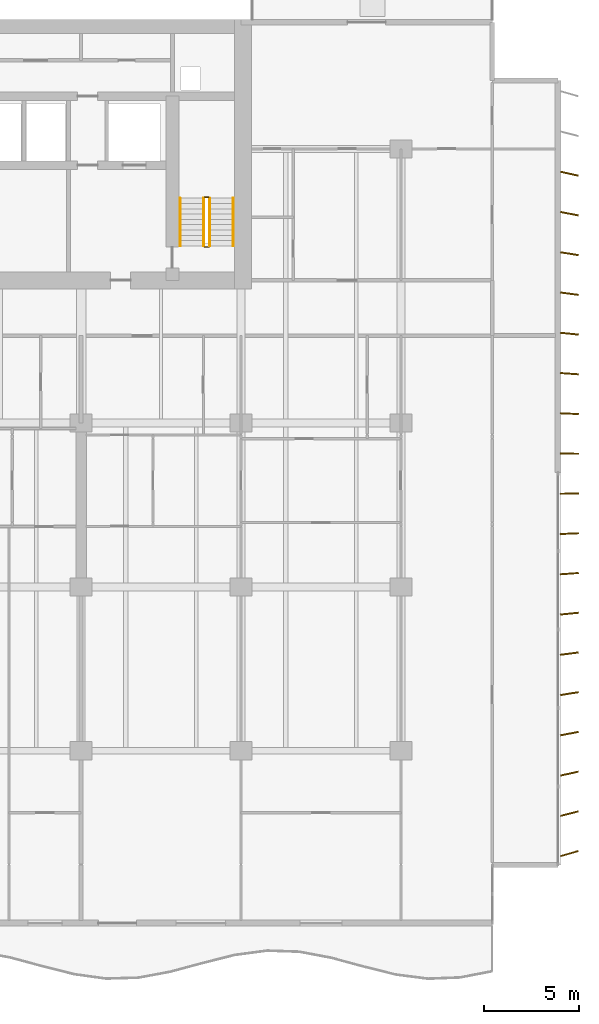
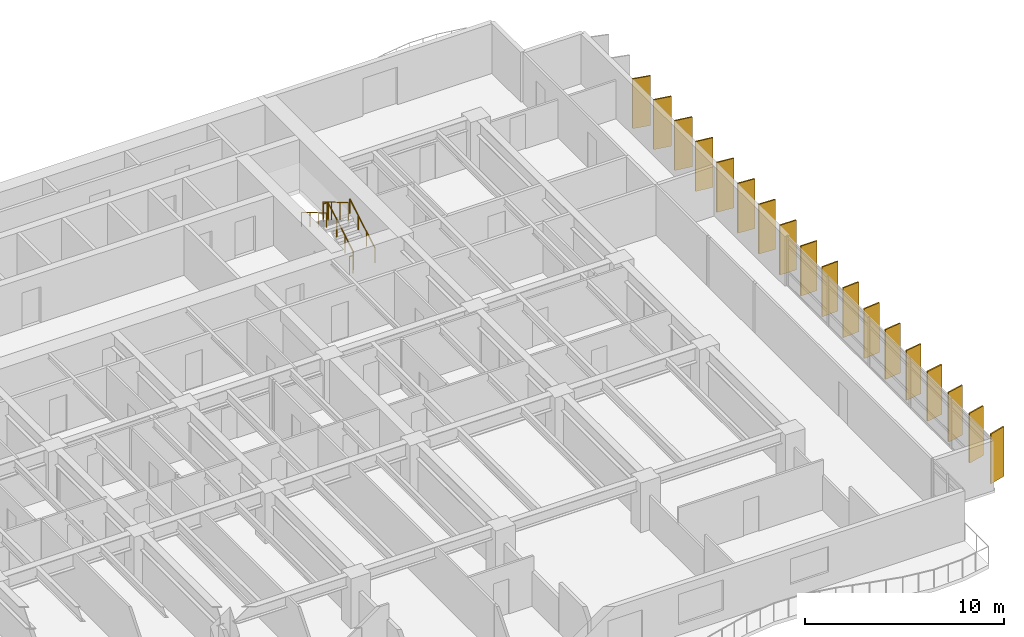
# One storey, part 17 of 18: 18 shading devices, 6 railings.
"""IFC4 building model written with IfcOpenShell, lengths in metres."""

from ifc_helpers import new_model, si_unit, direction, frame, origin, origin_2d, place, context, subcontext, project, spatial, rectangle, circle, extrude, material, material_profile, profile_set, type_object, element, save


model = new_model("IFC4")

# Units and contexts
model_context = context("Model", 3, precision=1e-05, world=origin(), true_north=direction((0.0, 1.0)))
body_context = subcontext(model_context, "Body", "Model", "MODEL_VIEW")
ifc_project = project(units=[si_unit("LENGTHUNIT", "METRE"), si_unit("AREAUNIT", "SQUARE_METRE"), si_unit("VOLUMEUNIT", "CUBIC_METRE"), si_unit("PLANEANGLEUNIT", "RADIAN"), si_unit("MASSUNIT", "GRAM", prefix="KILO")], contexts=[model_context])

# Site, building, storey
site_placement = place(None, origin())
site = spatial("IfcSite", under=ifc_project, at=site_placement, CompositionType="ELEMENT")
building_placement = place(site_placement, origin())
building = spatial("IfcBuilding", under=site, at=building_placement, Name="Caelmar Bay Residences", CompositionType="ELEMENT")
storey_placement = place(building_placement, frame((0.0, 0.0, 43.199951171875)))
storey = spatial("IfcBuildingStorey", under=building, at=storey_placement, Name="L10", CompositionType="ELEMENT", Elevation=43.199951171875)

# Railings
ifc_material_1 = material(Name="Painted galvanized steel stair guard 1100 mm", Category="steel")
railing_type_1 = type_object("IfcRailingType", Name="RL-GRD-1100", PredefinedType="GUARDRAIL", material=ifc_material_1)
railing_1_placement = place(storey_placement, frame((57.85009765625, 38.699951171875, 0.1650390625)))
element("IfcRailing", 1, at=railing_1_placement, inside=storey, type_object=railing_type_1, Name="L10 ST2 stair guard 1", PredefinedType="GUARDRAIL", context=body_context, shape_type="SweptSolid", body=[
    extrude(circle(Radius=0.02392578125, at=origin_2d()), frame((0.0, 0.0, 1.076171875), z_axis=(0.0, 0.86152411907, 0.507716645641), x_axis=(-1.0, 0.0, 0.0)), (0.0, 0.0, 1.0), 2.925048828125),
    extrude(circle(Radius=0.02099609375, at=origin_2d()), origin(), (0.0, 0.0, 1.0), 1.052001953125),
    extrude(circle(Radius=0.02099609375, at=origin_2d()), frame((0.0, 0.840087890625, 0.4951171875)), (0.0, 0.0, 1.0), 1.052001953125),
    extrude(circle(Radius=0.02099609375, at=origin_2d()), frame((0.0, 1.679931640625, 0.989990234375)), (0.0, 0.0, 1.0), 1.052001953125),
    extrude(circle(Radius=0.02099609375, at=origin_2d()), frame((0.0, 2.52001953125, 1.485107421875)), (0.0, 0.0, 1.0), 1.052001953125),
])
railing_2_placement = place(storey_placement, frame((57.800048828125, 41.27001953125, 1.650146484375)))
element("IfcRailing", 2, at=railing_2_placement, inside=storey, type_object=railing_type_1, Name="L10 ST2 stair guard 2", PredefinedType="GUARDRAIL", context=body_context, shape_type="SweptSolid", body=[
    extrude(circle(Radius=0.02392578125, at=origin_2d()), frame((0.0, 0.0, 1.076171875), z_axis=(-1.0, 0.0, 0.0), x_axis=(0.0, -1.0, 0.0)), (0.0, 0.0, 1.0), 0.199951171875),
    extrude(circle(Radius=0.02099609375, at=origin_2d()), origin(), (0.0, 0.0, 1.0), 1.052001953125),
    extrude(circle(Radius=0.02099609375, at=origin_2d()), frame((-0.199951171875, 0.0, 0.0)), (0.0, 0.0, 1.0), 1.052001953125),
])
railing_3_placement = place(storey_placement, frame((57.550048828125, 41.219970703125, 1.81494140625)))
element("IfcRailing", 3, at=railing_3_placement, inside=storey, type_object=railing_type_1, Name="L10 ST2 stair guard 3", PredefinedType="GUARDRAIL", context=body_context, shape_type="SweptSolid", body=[
    extrude(circle(Radius=0.02392578125, at=origin_2d()), frame((0.0, 0.0, 1.076171875), z_axis=(0.0, -0.86152411907, 0.507716645641), x_axis=(1.0, 0.0, 0.0)), (0.0, 0.0, 1.0), 2.925048828125),
    extrude(circle(Radius=0.02099609375, at=origin_2d()), origin(), (0.0, 0.0, 1.0), 1.052001953125),
    extrude(circle(Radius=0.02099609375, at=origin_2d()), frame((0.0, -0.840087890625, 0.4951171875)), (0.0, 0.0, 1.0), 1.052001953125),
    extrude(circle(Radius=0.02099609375, at=origin_2d()), frame((0.0, -1.679931640625, 0.989990234375)), (0.0, 0.0, 1.0), 1.052001953125),
    extrude(circle(Radius=0.02099609375, at=origin_2d()), frame((0.0, -2.52001953125, 1.485107421875)), (0.0, 0.0, 1.0), 1.052001953125),
])
railing_4_placement = place(storey_placement, frame((57.800048828125, 38.64990234375, 0.0)))
element("IfcRailing", 4, at=railing_4_placement, inside=storey, type_object=railing_type_1, Name="L10 ST2 stair guard 4", PredefinedType="GUARDRAIL", context=body_context, shape_type="SweptSolid", body=[
    extrude(circle(Radius=0.02392578125, at=origin_2d()), frame((0.0, 0.0, 1.076171875), z_axis=(-1.0, 0.0, 0.0), x_axis=(0.0, -1.0, 0.0)), (0.0, 0.0, 1.0), 0.199951171875),
    extrude(circle(Radius=0.02099609375, at=origin_2d()), origin(), (0.0, 0.0, 1.0), 1.052001953125),
    extrude(circle(Radius=0.02099609375, at=origin_2d()), frame((-0.199951171875, 0.0, 0.0)), (0.0, 0.0, 1.0), 1.052001953125),
])
ifc_material_2 = material(Name="Brushed bronze stainless-steel tubular handrail 900 mm", Category="steel")
railing_type_2 = type_object("IfcRailingType", Name="RL-HND-900", PredefinedType="HANDRAIL", material=ifc_material_2)
railing_5_placement = place(storey_placement, frame((59.10009765625, 38.699951171875, 0.1650390625)))
element("IfcRailing", 5, at=railing_5_placement, inside=storey, type_object=railing_type_2, Name="L10 ST2 stair handrail 1", PredefinedType="HANDRAIL", context=body_context, shape_type="SweptSolid", body=[
    extrude(circle(Radius=0.02392578125, at=origin_2d()), frame((0.0, 0.0, 0.8759765625), z_axis=(0.0, 0.86152411907, 0.507716645641), x_axis=(-1.0, 0.0, 0.0)), (0.0, 0.0, 1.0), 2.925048828125),
    extrude(circle(Radius=0.02099609375, at=origin_2d()), origin(), (0.0, 0.0, 1.0), 0.851806640625),
    extrude(circle(Radius=0.02099609375, at=origin_2d()), frame((0.0, 0.840087890625, 0.4951171875)), (0.0, 0.0, 1.0), 0.851806640625),
    extrude(circle(Radius=0.02099609375, at=origin_2d()), frame((0.0, 1.679931640625, 0.989990234375)), (0.0, 0.0, 1.0), 0.851806640625),
    extrude(circle(Radius=0.02099609375, at=origin_2d()), frame((0.0, 2.52001953125, 1.485107421875)), (0.0, 0.0, 1.0), 0.851806640625),
])
railing_6_placement = place(storey_placement, frame((56.300048828125, 41.219970703125, 1.81494140625)))
element("IfcRailing", 6, at=railing_6_placement, inside=storey, type_object=railing_type_2, Name="L10 ST2 stair handrail 2", PredefinedType="HANDRAIL", context=body_context, shape_type="SweptSolid", body=[
    extrude(circle(Radius=0.02392578125, at=origin_2d()), frame((0.0, 0.0, 0.8759765625), z_axis=(0.0, -0.86152411907, 0.507716645641), x_axis=(1.0, 0.0, 0.0)), (0.0, 0.0, 1.0), 2.925048828125),
    extrude(circle(Radius=0.02099609375, at=origin_2d()), origin(), (0.0, 0.0, 1.0), 0.851806640625),
    extrude(circle(Radius=0.02099609375, at=origin_2d()), frame((0.0, -0.840087890625, 0.4951171875)), (0.0, 0.0, 1.0), 0.851806640625),
    extrude(circle(Radius=0.02099609375, at=origin_2d()), frame((0.0, -1.679931640625, 0.989990234375)), (0.0, 0.0, 1.0), 0.851806640625),
    extrude(circle(Radius=0.02099609375, at=origin_2d()), frame((0.0, -2.52001953125, 1.485107421875)), (0.0, 0.0, 1.0), 0.851806640625),
])

# Shading devices
ifc_material_3 = material(Name="Anodised architectural bronze aluminium 6063-T6", Category="aluminium")
ifc_material_profile = material_profile(ifc_material_3, rectangle(XDim=0.074951171875, YDim=0.949951171875, at=origin_2d()), Name="BRONZE-FIN-75X950")
ifc_profile_set = profile_set([ifc_material_profile], Name="Anodised architectural bronze aluminium 6063-T6")
shading_device_type = type_object("IfcShadingDeviceType", Name="SHD-FIN-950", PredefinedType="USERDEFINED", material=ifc_profile_set)
for number, where, z_axis, x_axis, name in (
    (7, (76.75, 6.800048828125, 0.0), (0.0, 0.0, 1.0), (-0.275637355817, 0.961261695938, 0.0), "L10 East Bronze Solar Fin 1"),
    (8, (76.75, 8.89990234375, 0.0), (0.0, 0.0, 1.0), (-0.247337247968, 0.968929453452, 0.0), "L10 East Bronze Solar Fin 2"),
    (9, (76.75, 11.0, 0.0), (0.0, 0.0, 1.0), (-0.218654200292, 0.975802408633, 0.0), "L10 East Bronze Solar Fin 3"),
    (10, (76.75, 13.10009765625, 0.0), (0.0, 0.0, 1.0), (-0.189952291512, 0.981793321911, 0.0), "L10 East Bronze Solar Fin 4"),
    (11, (76.75, 15.199951171875, 0.0), (0.0, 0.0, 1.0), (-0.160914826518, 0.986968296657, 0.0), "L10 East Bronze Solar Fin 5"),
    (12, (76.75, 17.300048828125, 0.0), (0.0, 0.0, 1.0), (-0.131910382711, 0.991261646052, 0.0), "L10 East Bronze Solar Fin 6"),
    (13, (76.75, 19.39990234375, 0.0), (0.0, 0.0, 1.0), (-0.10261892683, 0.994720742649, 0.0), "L10 East Bronze Solar Fin 7"),
    (14, (76.75, 21.5, 0.0), (0.0, 0.0, 1.0), (-0.073412260224, 0.997301679558, 0.0), "L10 East Bronze Solar Fin 8"),
    (15, (76.75, 23.60009765625, 0.0), (0.0, 0.0, 1.0), (-0.044142481788, 0.999025245578, 0.0), "L10 East Bronze Solar Fin 9"),
    (16, (76.75, 25.699951171875, 0.0), (0.0, 0.0, 1.0), (-0.01466024053, 0.999892532899, 0.0), "L10 East Bronze Solar Fin 10"),
    (17, (76.75, 27.800048828125, 0.0), (0.0, 0.0, 1.0), (0.01466024053, 0.999892532899, 0.0), "L10 East Bronze Solar Fin 11"),
    (18, (76.75, 29.89990234375, 0.0), (0.0, 0.0, 1.0), (0.044142481788, 0.999025245578, 0.0), "L10 East Bronze Solar Fin 12"),
    (19, (76.75, 32.0, 0.0), (0.0, 0.0, 1.0), (0.073412260224, 0.997301679558, 0.0), "L10 East Bronze Solar Fin 13"),
    (20, (76.75, 34.10009765625, 0.0), (0.0, 0.0, 1.0), (0.10261892683, 0.994720742649, 0.0), "L10 East Bronze Solar Fin 14"),
    (21, (76.75, 36.199951171875, 0.0), (0.0, 0.0, 1.0), (0.131910382711, 0.991261646052, 0.0), "L10 East Bronze Solar Fin 15"),
    (22, (76.75, 38.300048828125, 0.0), (0.0, 0.0, 1.0), (0.160914826518, 0.986968296657, 0.0), "L10 East Bronze Solar Fin 16"),
    (23, (76.75, 40.39990234375, 0.0), (0.0, 0.0, 1.0), (0.189952291512, 0.981793321911, 0.0), "L10 East Bronze Solar Fin 17"),
    (24, (76.75, 42.5, 0.0), (0.0, 0.0, 1.0), (0.218654200292, 0.975802408633, 0.0), "L10 East Bronze Solar Fin 18"),
):
    element("IfcShadingDevice", number, at=place(storey_placement, frame(where, z_axis=z_axis, x_axis=x_axis)), inside=storey, type_object=shading_device_type, Name=name, ObjectType="FIN", PredefinedType="USERDEFINED", context=body_context, shape_type="SweptSolid", body=[
        extrude(rectangle(XDim=0.074951171875, YDim=0.949951171875, at=origin_2d()), origin(), (0.0, 0.0, 1.0), 3.050048828125),
    ])

save(model, "model.ifc")
